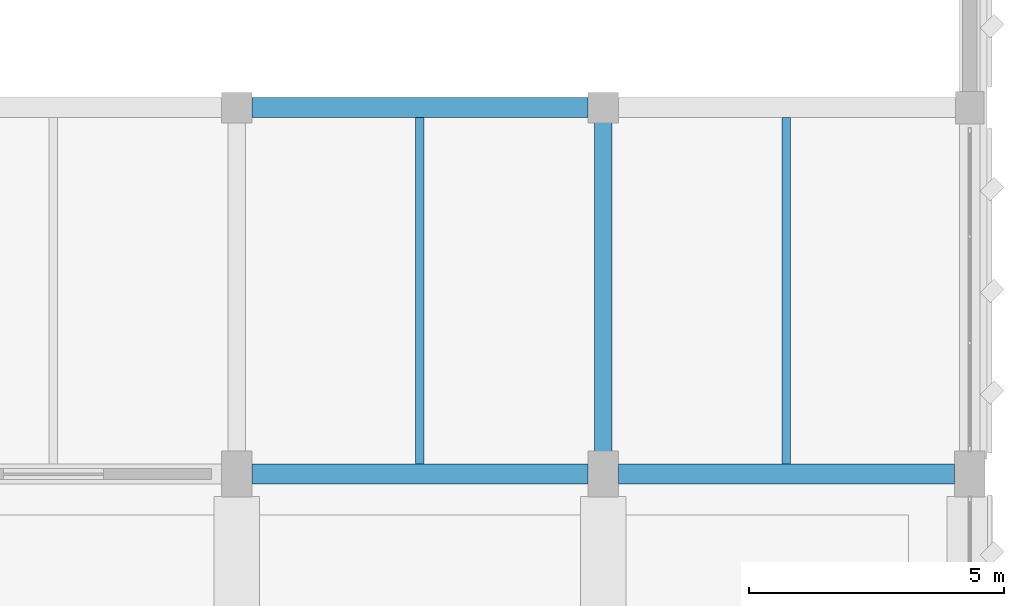
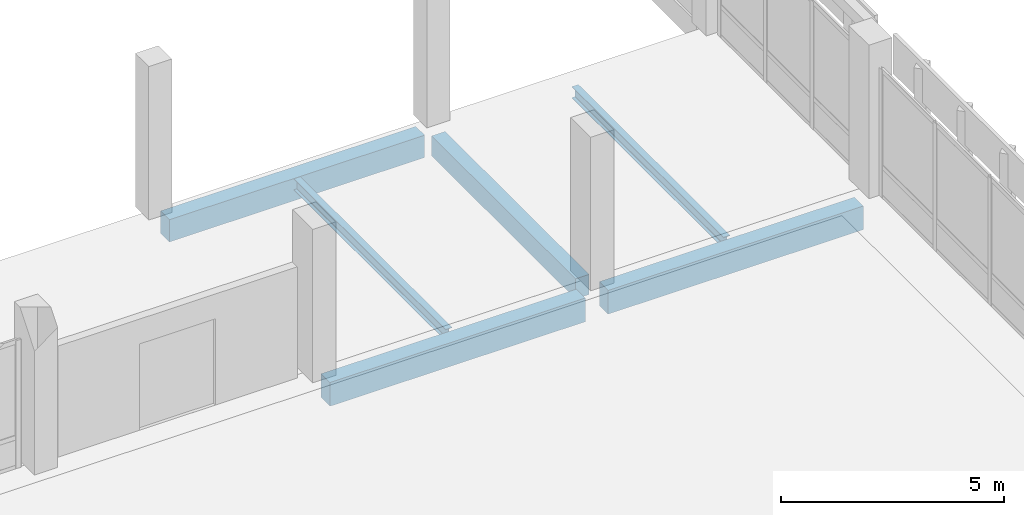
# One storey, part 94 of 158: 6 beams.
"""IFC4 building model written with IfcOpenShell, lengths in metres."""

from ifc_helpers import new_model, si_unit, direction, frame, origin, origin_2d, place, context, subcontext, project, spatial, rectangle, i_section, extrude, material, material_profile, profile_set, type_object, element, save


model = new_model("IFC4")

# Units and contexts
model_context = context("Model", 3, precision=1e-05, world=origin(), true_north=direction((0.0, 1.0)))
body_context = subcontext(model_context, "Body", "Model", "MODEL_VIEW")
ifc_project = project(units=[si_unit("LENGTHUNIT", "METRE"), si_unit("AREAUNIT", "SQUARE_METRE"), si_unit("VOLUMEUNIT", "CUBIC_METRE"), si_unit("PLANEANGLEUNIT", "RADIAN"), si_unit("MASSUNIT", "GRAM", prefix="KILO")], contexts=[model_context])

# Site, building, storey
site_placement = place(None, origin())
site = spatial("IfcSite", under=ifc_project, at=site_placement, CompositionType="ELEMENT")
building_placement = place(site_placement, origin())
building = spatial("IfcBuilding", under=site, at=building_placement, Name="Lusvemor Sports Hall", CompositionType="ELEMENT")
storey_placement = place(building_placement, frame((0.0, 0.0, 10.800048828125)))
storey = spatial("IfcBuildingStorey", under=building, at=storey_placement, Name="L02", CompositionType="ELEMENT", Elevation=10.800048828125)

# Beams
ifc_material_1 = material(Name="Concrete C40/50", Category="concrete")
ifc_material_profile_1 = material_profile(ifc_material_1, rectangle(XDim=0.35009765625, YDim=0.550048828125, at=origin_2d()), Name="RC350x550")
ifc_profile_set_1 = profile_set([ifc_material_profile_1], Name="Concrete C40/50")
beam_type_1 = type_object("IfcBeamType", Name="BEAM_RC_550", PredefinedType="BEAM", material=ifc_profile_set_1)
beam_1_placement = place(storey_placement, frame((162.0, 40.0458984375, -0.53515625), z_axis=(0.0, 1.0, 0.0), x_axis=(-1.0, 0.0, 0.0)))
element("IfcBeam", 1, at=beam_1_placement, inside=storey, type_object=beam_type_1, Name="Beam L02 19:E-F", PredefinedType="BEAM", context=body_context, shape_type="SweptSolid", body=[
    extrude(rectangle(XDim=0.35009765625, YDim=0.550048828125, at=origin_2d()), origin(), (0.0, 0.0, 1.0), 6.4580078125),
])
ifc_material_2 = material(Name="Concrete C40/50", Category="concrete")
ifc_material_profile_2 = material_profile(ifc_material_2, rectangle(XDim=0.39990234375, YDim=0.64990234375, at=origin_2d()), Name="RC400x650")
ifc_profile_set_2 = profile_set([ifc_material_profile_2], Name="Concrete C40/50")
beam_type_2 = type_object("IfcBeamType", Name="BEAM_RC_650", PredefinedType="BEAM", material=ifc_profile_set_2)
for number, where, z_axis, x_axis, name in (
    (2, (155.095947265625, 39.60009765625, -0.675048828125), (1.0, 0.0, 0.0), (0.0, 1.0, 0.0), "Beam L02 E:18-19"),
    (3, (162.2958984375, 39.60009765625, -0.675048828125), (1.0, 0.0, 0.0), (0.0, 1.0, 0.0), "Beam L02 E:19-20"),
):
    element("IfcBeam", number, at=place(storey_placement, frame(where, z_axis=z_axis, x_axis=x_axis)), inside=storey, type_object=beam_type_2, Name=name, PredefinedType="BEAM", context=body_context, shape_type="SweptSolid", body=[
        extrude(rectangle(XDim=0.39990234375, YDim=0.64990234375, at=origin_2d()), origin(), (0.0, 0.0, 1.0), 6.608154296875),
    ])
ifc_material_3 = material(Name="Steel S355", Category="steel")
ifc_material_profile_3 = material_profile(ifc_material_3, i_section(OverallWidth=0.1669921875, OverallDepth=0.31689453125, WebThickness=0.007568359375, FlangeThickness=0.01318359375, FilletRadius=0.014892578125, at=origin_2d()), Name="W310x52.0")
ifc_profile_set_3 = profile_set([ifc_material_profile_3], Name="Steel S355")
beam_type_3 = type_object("IfcBeamType", Name="JOIST_ST_310M", PredefinedType="JOIST", material=ifc_profile_set_3)
for number, where, z_axis, x_axis, name in (
    (4, (158.39990234375, 39.7958984375, -0.422607421875), (0.0, 1.0, 0.0), (-1.0, 0.0, 0.0), "Secondary Joist L02 18-19/E-F #1"),
    (5, (165.60009765625, 39.7958984375, -0.422607421875), (0.0, 1.0, 0.0), (-1.0, 0.0, 0.0), "Secondary Joist L02 19-20/E-F #1"),
):
    element("IfcBeam", number, at=place(storey_placement, frame(where, z_axis=z_axis, x_axis=x_axis)), inside=storey, type_object=beam_type_3, Name=name, PredefinedType="JOIST", context=body_context, shape_type="SweptSolid", body=[
        extrude(i_section(OverallWidth=0.1669921875, OverallDepth=0.31689453125, WebThickness=0.007568359375, FlangeThickness=0.01318359375, FilletRadius=0.014892578125, at=origin_2d()), origin(), (0.0, 0.0, 1.0), 6.80810546875),
    ])
ifc_material_4 = material(Name="Concrete C40/50", Category="concrete")
ifc_material_profile_4 = material_profile(ifc_material_4, rectangle(XDim=0.39990234375, YDim=0.610107421875, at=origin_2d()), Name="RC400x610")
ifc_profile_set_4 = profile_set([ifc_material_profile_4], Name="Concrete C40/50")
beam_type_4 = type_object("IfcBeamType", Name="SPAND_EXT_650", PredefinedType="SPANDREL", material=ifc_profile_set_4)
beam_2_placement = place(storey_placement, frame((155.095947265625, 46.800048828125, -0.56494140625), z_axis=(1.0, 0.0, 0.0), x_axis=(0.0, 1.0, 0.0)))
element("IfcBeam", 6, at=beam_2_placement, inside=storey, type_object=beam_type_4, Name="Beam L02 F:18-19", PredefinedType="SPANDREL", context=body_context, shape_type="SweptSolid", body=[
    extrude(rectangle(XDim=0.39990234375, YDim=0.610107421875, at=origin_2d()), origin(), (0.0, 0.0, 1.0), 6.608154296875),
])

save(model, "model.ifc")
